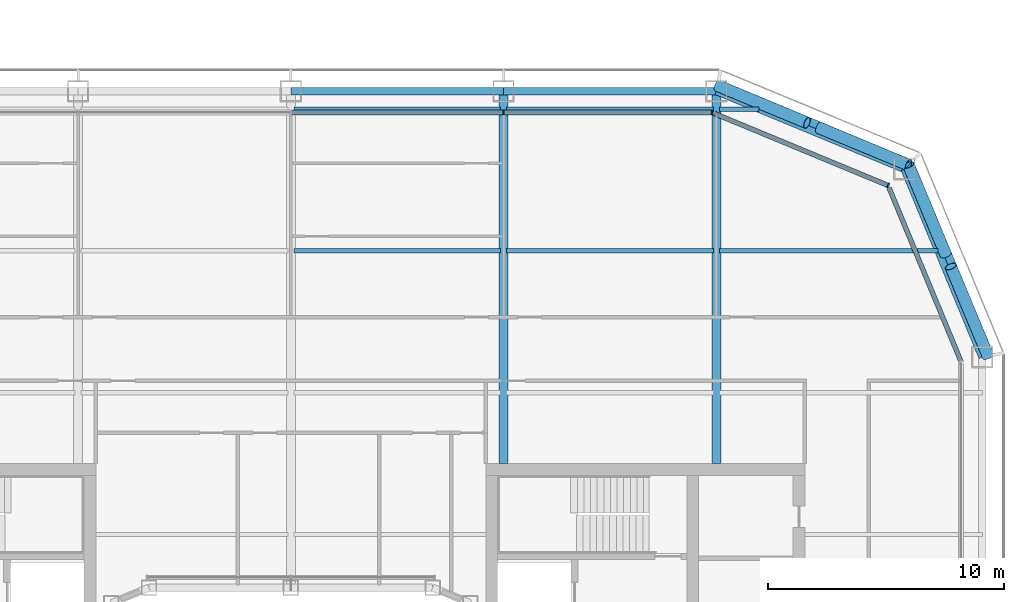
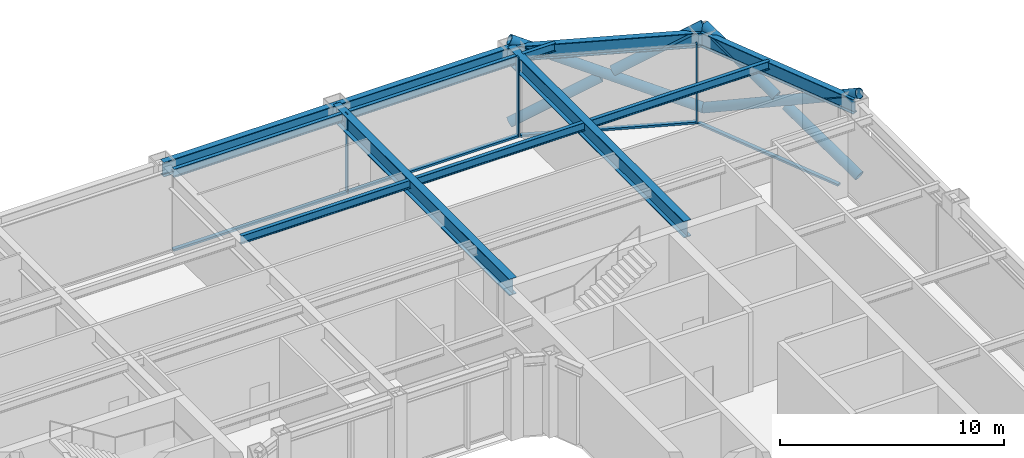
# One storey, part 9 of 23: 13 members, 12 beams, 3 elements without a shape of their own.
"""IFC4 building model written with IfcOpenShell, lengths in metres."""

from ifc_helpers import new_model, si_unit, direction, frame, origin, origin_2d, place, context, subcontext, project, spatial, rectangle, hollow_circle, i_section, extrude, material, layer, layer_set, material_profile, profile_set, type_object, element, aggregate, save


model = new_model("IFC4")

# Units and contexts
model_context = context("Model", 3, precision=1e-05, world=origin(), true_north=direction((0.0, 1.0)))
body_context = subcontext(model_context, "Body", "Model", "MODEL_VIEW")
ifc_project = project(units=[si_unit("LENGTHUNIT", "METRE"), si_unit("AREAUNIT", "SQUARE_METRE"), si_unit("VOLUMEUNIT", "CUBIC_METRE"), si_unit("PLANEANGLEUNIT", "RADIAN"), si_unit("MASSUNIT", "GRAM", prefix="KILO")], contexts=[model_context])

# Site, building, storey
site_placement = place(None, origin())
site = spatial("IfcSite", under=ifc_project, at=site_placement, CompositionType="ELEMENT")
building_placement = place(site_placement, origin())
building = spatial("IfcBuilding", under=site, at=building_placement, Name="Siwar Civic Tower", CompositionType="ELEMENT")
storey_placement = place(building_placement, frame((0.0, 0.0, 154.199951171875)))
storey = spatial("IfcBuildingStorey", under=building, at=storey_placement, Name="L33", CompositionType="ELEMENT", Elevation=154.199951171875)

# Curtain wall, member
ifc_material_1 = material(Name="Aluminium clad insulated panel", Category="aluminium")
ifc_layer_1 = layer(ifc_material_1, 0.199951171875)
ifc_layer_set_1 = layer_set([ifc_layer_1], Name="Aluminium clad insulated panel")
curtain_wall_type_1 = type_object("IfcCurtainWallType", Name="ENV-CW-BX", PredefinedType="NOTDEFINED", material=ifc_layer_set_1)
curtain_wall_1_placement = place(storey_placement, origin())
curtain_wall_1 = element("IfcCurtainWall", 1, at=curtain_wall_1_placement, inside=storey, type_object=curtain_wall_type_1, Name="Curtain wall B NE2", PredefinedType="NOTDEFINED")
ifc_material_2 = material(Name="Aluminium 6063-T6", Category="aluminium")
ifc_material_profile_1 = material_profile(ifc_material_2, rectangle(XDim=0.199951171875, YDim=0.06494140625, at=origin_2d()), Name="AL 200x65")
ifc_profile_set_1 = profile_set([ifc_material_profile_1], Name="Aluminium 6063-T6")
member_type_1 = type_object("IfcMemberType", Name="ENV-MULLION-B", PredefinedType="MULLION", material=ifc_profile_set_1)
member_1_placement = place(storey_placement, frame((25.26611328125, 25.26611328125, 0.0), z_axis=(0.0, 0.0, 1.0), x_axis=(-0.382683432365, -0.923879532511, 0.0)))
member_1 = element("IfcMember", 2, at=member_1_placement, type_object=member_type_1, Name="Mullion B NE2 1", PredefinedType="MULLION", context=body_context, shape_type="SweptSolid", body=[
    extrude(rectangle(XDim=0.199951171875, YDim=0.06494140625, at=origin_2d()), origin(), (0.0, 0.0, 1.0), 4.35009765625),
])

# Curtain wall, members
ifc_material_3 = material(Name="Aluminium and glass", Category="aluminium")
ifc_layer_2 = layer(ifc_material_3, 0.199951171875)
ifc_layer_set_2 = layer_set([ifc_layer_2], Name="Aluminium and glass")
curtain_wall_type_2 = type_object("IfcCurtainWallType", Name="ENV-CW-B", PredefinedType="NOTDEFINED", material=ifc_layer_set_2)
curtain_wall_2_placement = place(storey_placement, origin())
curtain_wall_2 = element("IfcCurtainWall", 3, at=curtain_wall_2_placement, inside=storey, type_object=curtain_wall_type_2, Name="Curtain wall B N", PredefinedType="NOTDEFINED")
member_2_placement = place(storey_placement, frame((17.821044921875, 28.35009765625, 0.0), z_axis=(0.0, 0.0, 1.0), x_axis=(0.0, -1.0, 0.0)))
member_2 = element("IfcMember", 4, at=member_2_placement, type_object=member_type_1, Name="Mullion B N 1", PredefinedType="MULLION", context=body_context, shape_type="SweptSolid", body=[
    extrude(rectangle(XDim=0.199951171875, YDim=0.06494140625, at=origin_2d()), origin(), (0.0, 0.0, 1.0), 4.35009765625),
])
member_3_placement = place(storey_placement, frame((9.0, 28.35009765625, 0.0), z_axis=(0.0, 0.0, 1.0), x_axis=(0.0, -1.0, 0.0)))
member_3 = element("IfcMember", 5, at=member_3_placement, type_object=member_type_1, Name="Mullion B N 2", PredefinedType="MULLION", context=body_context, shape_type="SweptSolid", body=[
    extrude(rectangle(XDim=0.199951171875, YDim=0.06494140625, at=origin_2d()), origin(), (0.0, 0.0, 1.0), 4.35009765625),
])

# Curtain wall, member
curtain_wall_3_placement = place(storey_placement, origin())
curtain_wall_3 = element("IfcCurtainWall", 6, at=curtain_wall_3_placement, inside=storey, type_object=curtain_wall_type_1, Name="Curtain wall B NE1", PredefinedType="NOTDEFINED")
ifc_material_4 = material(Name="Aluminium 6063-T6", Category="aluminium")
ifc_material_profile_2 = material_profile(ifc_material_4, rectangle(XDim=0.199951171875, YDim=0.110107421875, at=origin_2d()), Name="AL 200x110")
ifc_profile_set_2 = profile_set([ifc_material_profile_2], Name="Aluminium 6063-T6")
member_type_2 = type_object("IfcMemberType", Name="ENV-TRANSOM-B", PredefinedType="USERDEFINED", material=ifc_profile_set_2)
member_4_placement = place(storey_placement, frame((28.337646484375, 17.85107421875, 0.054931640625), z_axis=(-0.382699695651, 0.92387279587, 0.0), x_axis=(-0.92387279587, -0.382699695651, 0.0)))
member_4 = element("IfcMember", 7, at=member_4_placement, type_object=member_type_2, Name="Transom B NE1 1", ObjectType="TRANSOM", PredefinedType="USERDEFINED", context=body_context, shape_type="SweptSolid", body=[
    extrude(rectangle(XDim=0.199951171875, YDim=0.110107421875, at=origin_2d()), origin(), (0.0, 0.0, 1.0), 7.912353515625),
])
aggregate(curtain_wall_3, [member_4])

# Member
member_5_placement = place(storey_placement, frame((25.236083984375, 25.278564453125, 0.054931640625), z_axis=(-0.923883705044, 0.382673358825, 0.0), x_axis=(-0.382673358825, -0.923883705044, 0.0)))
member_5 = element("IfcMember", 8, at=member_5_placement, type_object=member_type_2, Name="Transom B NE2 1", ObjectType="TRANSOM", PredefinedType="USERDEFINED", context=body_context, shape_type="SweptSolid", body=[
    extrude(rectangle(XDim=0.199951171875, YDim=0.110107421875, at=origin_2d()), origin(), (0.0, 0.0, 1.0), 7.912353515625),
])

aggregate(curtain_wall_1, [member_1, member_5])

member_6_placement = place(storey_placement, frame((17.78857421875, 28.35009765625, 0.054931640625), z_axis=(-1.0, 0.0, 0.0), x_axis=(0.0, -1.0, 0.0)))
member_6 = element("IfcMember", 9, at=member_6_placement, type_object=member_type_2, Name="Transom B N 1", ObjectType="TRANSOM", PredefinedType="USERDEFINED", context=body_context, shape_type="SweptSolid", body=[
    extrude(rectangle(XDim=0.199951171875, YDim=0.110107421875, at=origin_2d()), origin(), (0.0, 0.0, 1.0), 8.756103515625),
])

member_7_placement = place(storey_placement, frame((8.967529296875, 28.35009765625, 0.054931640625), z_axis=(-1.0, 0.0, 0.0), x_axis=(0.0, -1.0, 0.0)))
member_7 = element("IfcMember", 10, at=member_7_placement, type_object=member_type_2, Name="Transom B N 2", ObjectType="TRANSOM", PredefinedType="USERDEFINED", context=body_context, shape_type="SweptSolid", body=[
    extrude(rectangle(XDim=0.199951171875, YDim=0.110107421875, at=origin_2d()), origin(), (0.0, 0.0, 1.0), 8.93505859375),
])

aggregate(curtain_wall_2, [member_2, member_3, member_6, member_7])

# Members
ifc_material_5 = material(Name="Steel S355", Category="steel")
ifc_material_profile_3 = material_profile(ifc_material_5, hollow_circle(Radius=0.25390625, WallThickness=0.02490234375, at=origin_2d()), Name="CHS508x25")
ifc_profile_set_3 = profile_set([ifc_material_profile_3], Name="Steel S355")
member_type_3 = type_object("IfcMemberType", Name="STR-BR-CHS508x25", PredefinedType="BRACE", material=ifc_profile_set_3)
member_8_placement = place(storey_placement, frame((26.1318359375, 26.1318359375, 0.0), z_axis=(-0.821142553604, 0.341671493852, 0.457149315816), x_axis=(-0.384163874976, -0.923264922524, 0.0)))
element("IfcMember", 11, at=member_8_placement, inside=storey, type_object=member_type_3, Name="L33/brc/BNE1-12-0-1", PredefinedType="BRACE", context=body_context, shape_type="SweptSolid", body=[
    extrude(hollow_circle(Radius=0.25390625, WallThickness=0.02490234375, at=origin_2d()), origin(), (0.0, 0.0, 1.0), 9.843505859375),
])
for number, where, z_axis, x_axis, name in (
    (12, (18.048828125, 29.4951171875, 0.0), (0.821126041429, -0.341677318012, 0.457174621391), (0.384176042158, 0.923259859753, 0.0), "L33/brc/BNE1-12-0-2"),
    (13, (22.342529296875, 27.70849609375, 2.390625), (0.821163134736, -0.341670737976, 0.457112910516), (0.384154943021, 0.923268638995, 0.0), "L33/brc/BNE1-12-0-3"),
):
    element("IfcMember", number, at=place(storey_placement, frame(where, z_axis=z_axis, x_axis=x_axis)), inside=storey, type_object=member_type_3, Name=name, PredefinedType="BRACE", context=body_context, shape_type="SweptSolid", body=[
        extrude(hollow_circle(Radius=0.25390625, WallThickness=0.02490234375, at=origin_2d()), origin(), (0.0, 0.0, 1.0), 4.614501953125),
    ])
member_9_placement = place(storey_placement, frame((26.1318359375, 26.1318359375, 0.0), z_axis=(0.341671493852, -0.821142553604, 0.457149315816), x_axis=(0.923264922524, 0.384163874976, 0.0)))
element("IfcMember", 14, at=member_9_placement, inside=storey, type_object=member_type_3, Name="L33/brc/BNE1-12-0-0", PredefinedType="BRACE", context=body_context, shape_type="SweptSolid", body=[
    extrude(hollow_circle(Radius=0.25390625, WallThickness=0.02490234375, at=origin_2d()), origin(), (0.0, 0.0, 1.0), 9.843505859375),
])
for number, where, z_axis, x_axis, name in (
    (15, (29.4951171875, 18.048828125, 0.0), (-0.341677318012, 0.821126041429, 0.457174621391), (-0.923259859753, -0.384176042158, 0.0), "L33/brc/BNE1-12-0-4"),
    (16, (27.70849609375, 22.342529296875, 2.390625), (-0.341670737976, 0.821163134736, 0.457112910516), (-0.923268638995, -0.384154943021, 0.0), "L33/brc/BNE1-12-0-5"),
):
    element("IfcMember", number, at=place(storey_placement, frame(where, z_axis=z_axis, x_axis=x_axis)), inside=storey, type_object=member_type_3, Name=name, PredefinedType="BRACE", context=body_context, shape_type="SweptSolid", body=[
        extrude(hollow_circle(Radius=0.25390625, WallThickness=0.02490234375, at=origin_2d()), origin(), (0.0, 0.0, 1.0), 4.614501953125),
    ])

# Beams
ifc_material_6 = material(Name="Steel S355", Category="steel")
ifc_material_profile_4 = material_profile(ifc_material_6, i_section(OverallWidth=0.18994140625, OverallDepth=0.449951171875, WebThickness=0.009521484375, FlangeThickness=0.0146484375, FilletRadius=0.02099609375, at=origin_2d()), Name="IPE450")
ifc_profile_set_4 = profile_set([ifc_material_profile_4], Name="Steel S355")
beam_type_1 = type_object("IfcBeamType", Name="STR-FB-IPE450", PredefinedType="JOIST", material=ifc_profile_set_4)
for number, where, z_axis, x_axis, name in (
    (17, (0.1298828125, 22.5, 4.125), (1.0, 0.0, 0.0), (0.0, 1.0, 0.0), "L33/bm/F040"),
    (18, (9.1298828125, 22.5, 4.125), (1.0, 0.0, 0.0), (0.0, 1.0, 0.0), "L33/bm/F041"),
):
    element("IfcBeam", number, at=place(storey_placement, frame(where, z_axis=z_axis, x_axis=x_axis)), inside=storey, type_object=beam_type_1, Name=name, PredefinedType="JOIST", context=body_context, shape_type="SweptSolid", body=[
        extrude(i_section(OverallWidth=0.18994140625, OverallDepth=0.449951171875, WebThickness=0.009521484375, FlangeThickness=0.0146484375, FilletRadius=0.02099609375, at=origin_2d()), origin(), (0.0, 0.0, 1.0), 8.740234375),
    ])
beam_1_placement = place(storey_placement, frame((18.1298828125, 22.5, 4.125), z_axis=(1.0, 0.0, 0.0), x_axis=(0.0, 1.0, 0.0)))
element("IfcBeam", 19, at=beam_1_placement, inside=storey, type_object=beam_type_1, Name="L33/bm/F042", PredefinedType="JOIST", context=body_context, shape_type="SweptSolid", body=[
    extrude(i_section(OverallWidth=0.18994140625, OverallDepth=0.449951171875, WebThickness=0.009521484375, FlangeThickness=0.0146484375, FilletRadius=0.02099609375, at=origin_2d()), origin(), (0.0, 0.0, 1.0), 9.256103515625),
])
for number, where, z_axis, x_axis, name in (
    (20, (0.1298828125, 28.5, 4.125), (1.0, 0.0, 0.0), (0.0, 1.0, 0.0), "L33/bm/F046"),
    (21, (9.1298828125, 28.5, 4.125), (1.0, 0.0, 0.0), (0.0, 1.0, 0.0), "L33/bm/F047"),
):
    element("IfcBeam", number, at=place(storey_placement, frame(where, z_axis=z_axis, x_axis=x_axis)), inside=storey, type_object=beam_type_1, Name=name, PredefinedType="JOIST", context=body_context, shape_type="SweptSolid", body=[
        extrude(i_section(OverallWidth=0.18994140625, OverallDepth=0.449951171875, WebThickness=0.009521484375, FlangeThickness=0.0146484375, FilletRadius=0.02099609375, at=origin_2d()), origin(), (0.0, 0.0, 1.0), 8.740234375),
    ])
beam_2_placement = place(storey_placement, frame((18.1298828125, 28.5, 4.125), z_axis=(1.0, 0.0, 0.0), x_axis=(0.0, 1.0, 0.0)))
element("IfcBeam", 22, at=beam_2_placement, inside=storey, type_object=beam_type_1, Name="L33/bm/F048", PredefinedType="JOIST", context=body_context, shape_type="SweptSolid", body=[
    extrude(i_section(OverallWidth=0.18994140625, OverallDepth=0.449951171875, WebThickness=0.009521484375, FlangeThickness=0.0146484375, FilletRadius=0.02099609375, at=origin_2d()), origin(), (0.0, 0.0, 1.0), 1.6806640625),
])
ifc_material_7 = material(Name="Steel S355", Category="steel")
ifc_material_profile_5 = material_profile(ifc_material_7, i_section(OverallWidth=0.3798828125, OverallDepth=0.89990234375, WebThickness=0.01611328125, FlangeThickness=0.035888671875, at=origin_2d()), Name="PG900x380x16x36")
ifc_profile_set_5 = profile_set([ifc_material_profile_5], Name="Steel S355")
beam_type_2 = type_object("IfcBeamType", Name="STR-PG-PG900x380x16x36", PredefinedType="BEAM", material=ifc_profile_set_5)
for number, where, z_axis, x_axis, name in (
    (23, (9.0, 13.5, 3.900146484375), (0.0, 1.0, 0.0), (-1.0, 0.0, 0.0), "L33/bm/G08"),
    (24, (18.0, 13.5, 3.900146484375), (0.0, 1.0, 0.0), (-1.0, 0.0, 0.0), "L33/bm/G10"),
):
    element("IfcBeam", number, at=place(storey_placement, frame(where, z_axis=z_axis, x_axis=x_axis)), inside=storey, type_object=beam_type_2, Name=name, PredefinedType="BEAM", context=body_context, shape_type="SweptSolid", body=[
        extrude(i_section(OverallWidth=0.3798828125, OverallDepth=0.89990234375, WebThickness=0.01611328125, FlangeThickness=0.035888671875, at=origin_2d()), origin(), (0.0, 0.0, 1.0), 15.75),
    ])
ifc_material_8 = material(Name="Steel S355", Category="steel")
ifc_material_profile_6 = material_profile(ifc_material_8, i_section(OverallWidth=0.300048828125, OverallDepth=0.800048828125, WebThickness=0.017578125, FlangeThickness=0.032958984375, FilletRadius=0.030029296875, at=origin_2d()), Name="HEB800")
ifc_profile_set_6 = profile_set([ifc_material_profile_6], Name="Steel S355")
beam_type_3 = type_object("IfcBeamType", Name="STR-SB-HEB800", PredefinedType="BEAM", material=ifc_profile_set_6)
for number, where, z_axis, x_axis, name in (
    (25, (29.25, 18.0, 3.949951171875), (-0.382699877515, 0.923872720536, 0.0), (-0.923872720536, -0.382699877515, 0.0), "L33/bm/SNE1-0"),
    (26, (25.954833984375, 25.954833984375, 3.949951171875), (-0.923872720536, 0.382699877515, 0.0), (-0.382699877515, -0.923872720536, 0.0), "L33/bm/SNE2-0"),
):
    element("IfcBeam", number, at=place(storey_placement, frame(where, z_axis=z_axis, x_axis=x_axis)), inside=storey, type_object=beam_type_3, Name=name, PredefinedType="BEAM", context=body_context, shape_type="SweptSolid", body=[
        extrude(i_section(OverallWidth=0.300048828125, OverallDepth=0.800048828125, WebThickness=0.017578125, FlangeThickness=0.032958984375, FilletRadius=0.030029296875, at=origin_2d()), origin(), (0.0, 0.0, 1.0), 8.6103515625),
    ])
for number, where, z_axis, x_axis, name in (
    (27, (18.0, 29.25, 3.949951171875), (-1.0, 0.0, 0.0), (0.0, -1.0, 0.0), "L33/bm/SN-0"),
    (28, (9.0, 29.25, 3.949951171875), (-1.0, 0.0, 0.0), (0.0, -1.0, 0.0), "L33/bm/SN-1"),
):
    element("IfcBeam", number, at=place(storey_placement, frame(where, z_axis=z_axis, x_axis=x_axis)), inside=storey, type_object=beam_type_3, Name=name, PredefinedType="BEAM", context=body_context, shape_type="SweptSolid", body=[
        extrude(i_section(OverallWidth=0.300048828125, OverallDepth=0.800048828125, WebThickness=0.017578125, FlangeThickness=0.032958984375, FilletRadius=0.030029296875, at=origin_2d()), origin(), (0.0, 0.0, 1.0), 9.0),
    ])

save(model, "model.ifc")
